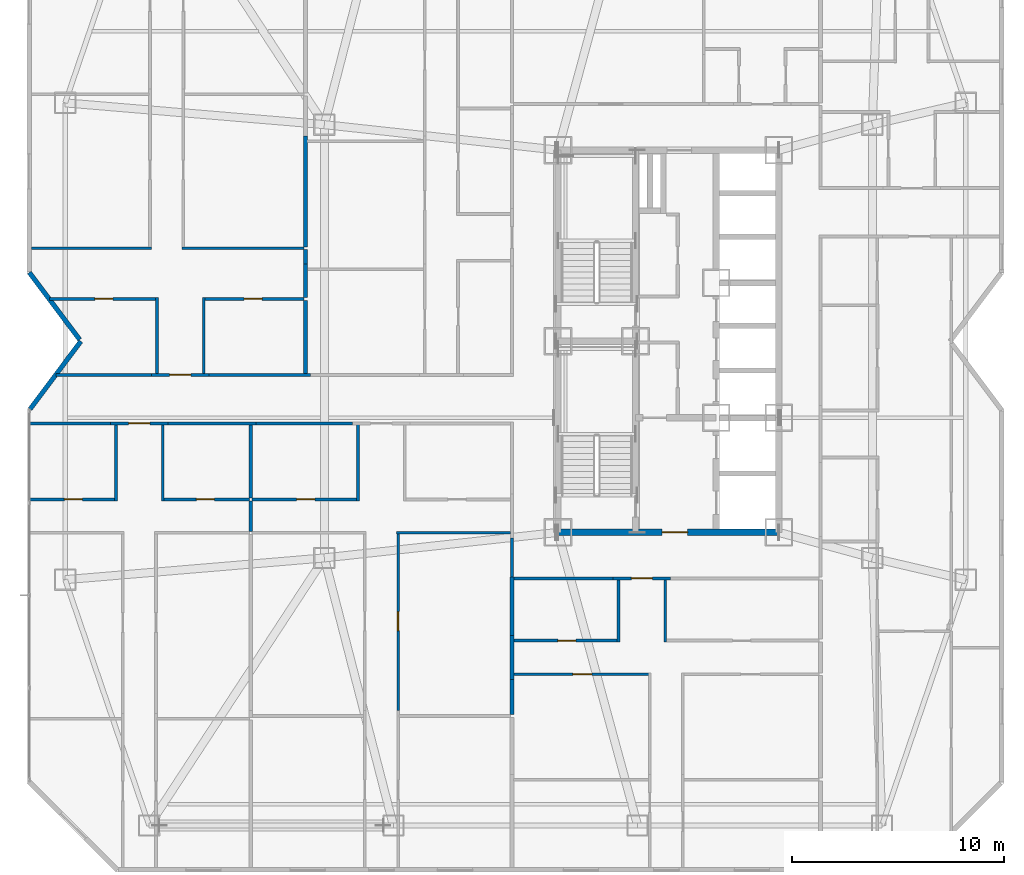
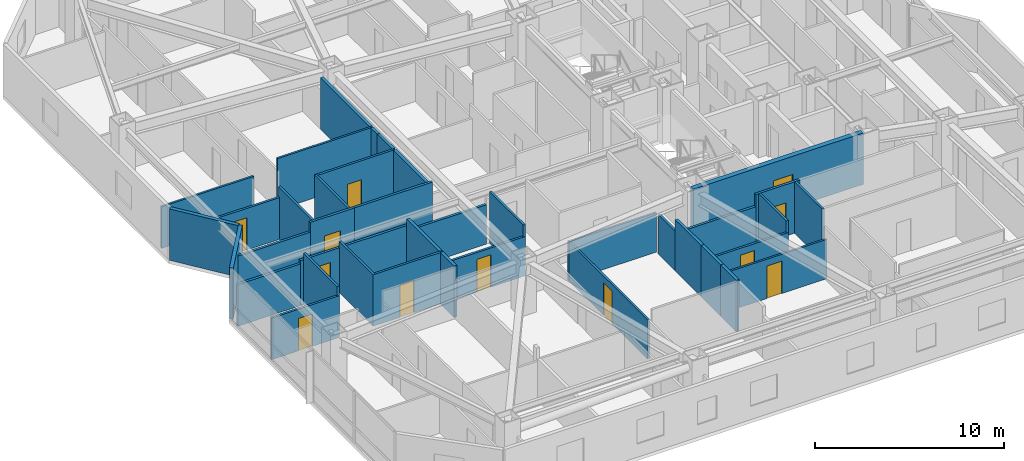
# One storey, part 12 of 18: 40 walls, 12 doors, 12 openings.
"""IFC4 building model written with IfcOpenShell, lengths in metres."""

import ifcopenshell
import ifcopenshell.guid

model = None  # the IFC model being written
_history = None  # IfcOwnerHistory: only IFC2X3 demands one
_inside = {}  # id of a spatial element -> (the spatial element, [elements in it])
_under = {}  # id of a project, library or spatial element -> (it, [spatial elements below it])
_declared = {}  # id of a project -> (the project, [libraries it declares])
_typed = {}  # id of a type object -> (the type object, [elements of that type])
_made_of = {}  # id of a material, layer set ... -> (it, [elements and type objects made of it])


def new_model(schema):
    """Start an empty IFC model of exactly this schema.

    Asked for "IFC4X3", IfcOpenShell would pick the latest addendum, in which some entities
    have other attributes; the version numbers below select the first issue.
    IFC2X3 requires an IfcOwnerHistory on every rooted entity: one is made here for all.
    """
    global model, _history
    if schema == "IFC4X3":
        model = ifcopenshell.file(schema_version=(4, 3, 0, 0))
    else:
        model = ifcopenshell.file(schema=schema)
    _inside.clear()
    _under.clear()
    _declared.clear()
    _typed.clear()
    _made_of.clear()
    _history = None
    if model.schema == "IFC2X3":
        org = make("IfcOrganization", Name="unknown")
        user = make(
            "IfcPersonAndOrganization",
            ThePerson=make("IfcPerson", FamilyName="unknown"),
            TheOrganization=org,
        )
        app = make(
            "IfcApplication",
            ApplicationDeveloper=org,
            Version="unknown",
            ApplicationFullName="unknown",
            ApplicationIdentifier="unknown",
        )
        _history = make(
            "IfcOwnerHistory",
            OwningUser=user,
            OwningApplication=app,
            ChangeAction="ADDED",
            CreationDate=0,
        )
    return model


def make(cls, **values):
    """One entity of the class cls with the attributes given. An attribute that is None is left unset."""
    return model.create_entity(
        cls, **{name: value for name, value in values.items() if value is not None}
    )


def rooted(cls, **values):
    """An entity with a GlobalId (a new one), such as an element, a storey or a relation."""
    return make(cls, GlobalId=ifcopenshell.guid.new(), OwnerHistory=_history, **values)


def si_unit(unit_type, name, prefix=None):
    """IfcSIUnit, for example si_unit("LENGTHUNIT", "METRE", prefix="MILLI")."""
    return make("IfcSIUnit", UnitType=unit_type, Prefix=prefix, Name=name)


def assignment(units):
    """IfcUnitAssignment: the units of a project."""
    return None if units is None else make("IfcUnitAssignment", Units=units)


def point(xyz):
    """IfcCartesianPoint."""
    return None if xyz is None else make("IfcCartesianPoint", Coordinates=xyz)


def direction(xyz):
    """IfcDirection."""
    return None if xyz is None else make("IfcDirection", DirectionRatios=xyz)


def frame(location, z_axis=None, x_axis=None):
    """IfcAxis2Placement3D, a coordinate frame: its origin and axes. An axis left out is left unset."""
    return make(
        "IfcAxis2Placement3D",
        Location=point(location),
        Axis=direction(z_axis),
        RefDirection=direction(x_axis),
    )


def frame_2d(location, x_axis=None):
    """IfcAxis2Placement2D, a coordinate frame in the plane: its origin and x axis."""
    return make(
        "IfcAxis2Placement2D", Location=point(location), RefDirection=direction(x_axis)
    )


def origin():
    """The frame at (0, 0, 0) with its axes left unset."""
    return frame((0.0, 0.0, 0.0))


def place(relative_to, where):
    """IfcLocalPlacement: puts the frame where relative to a parent placement (None: the world)."""
    return make(
        "IfcLocalPlacement", PlacementRelTo=relative_to, RelativePlacement=where
    )


def context(
    kind, dimensions, precision=None, world=None, true_north=None, identifier=None
):
    """IfcGeometricRepresentationContext, for example the 3D "Model" context."""
    return make(
        "IfcGeometricRepresentationContext",
        ContextIdentifier=identifier,
        ContextType=kind,
        CoordinateSpaceDimension=dimensions,
        Precision=precision,
        WorldCoordinateSystem=world,
        TrueNorth=true_north,
    )


def subcontext(parent, identifier, kind, view, scale=None):
    """IfcGeometricRepresentationSubContext, for example "Body" below "Model"."""
    return make(
        "IfcGeometricRepresentationSubContext",
        ContextIdentifier=identifier,
        ContextType=kind,
        ParentContext=parent,
        TargetScale=scale,
        TargetView=view,
    )


def project(units=None, contexts=None):
    """IfcProject with its units and contexts."""
    return rooted(
        "IfcProject",
        Name="project",
        RepresentationContexts=contexts,
        UnitsInContext=assignment(units),
    )


def spatial(cls, under=None, at=None, **own):
    """A site, building, storey or space (cls), placed at a placement, below another one or the project."""
    s = rooted(cls, ObjectPlacement=at, **own)
    if under is not None:
        _under.setdefault(under.id(), (under, []))[1].append(s)
    return s


def profile(cls, at=None, kind="AREA", **sizes):
    """A parametric profile (cls). Its sizes go by their IFC names, for example OverallWidth=200.0."""
    return make(cls, ProfileType=kind, Position=at, **sizes)


def rectangle(**sizes):
    """IfcRectangleProfileDef."""
    return profile("IfcRectangleProfileDef", **sizes)


def extrude(swept, where, along, depth):
    """IfcExtrudedAreaSolid: the profile swept, set in the frame where, extruded along a direction by depth."""
    return make(
        "IfcExtrudedAreaSolid",
        SweptArea=swept,
        Position=where,
        ExtrudedDirection=direction(along),
        Depth=depth,
    )


def shape(context_of_items, identifier, shape_type, items):
    """IfcShapeRepresentation: the items that make up one representation, for example the "Body"."""
    return make(
        "IfcShapeRepresentation",
        ContextOfItems=context_of_items,
        RepresentationIdentifier=identifier,
        RepresentationType=shape_type,
        Items=items,
    )


def material(Name=None, Category=None):
    """IfcMaterial."""
    return make("IfcMaterial", Name=Name, Category=Category)


def layer(
    of_material, thickness, ventilated=None, Name=None, Category=None, Priority=None
):
    """IfcMaterialLayer: one layer of a wall or slab, of a material (None: an air gap)."""
    return make(
        "IfcMaterialLayer",
        Material=of_material,
        LayerThickness=thickness,
        IsVentilated=ventilated,
        Name=Name,
        Category=Category,
        Priority=Priority,
    )


def layer_set(layers, Name=None):
    """IfcMaterialLayerSet."""
    return make("IfcMaterialLayerSet", MaterialLayers=layers, LayerSetName=Name)


def made_of(thing, what):
    """Note that an element or type object is made of a material, layer set ...; save() writes the relation."""
    if what is not None:
        _made_of.setdefault(what.id(), (what, []))[1].append(thing)
    return thing


def type_object(cls, material=None, **own):
    """A type object (cls), such as IfcWallType, which elements share."""
    return made_of(rooted(cls, **own), material)


def element(
    cls,
    number,
    at=None,
    inside=None,
    cuts=None,
    type_object=None,
    material=None,
    context=None,
    identifier="Body",
    shape_type=None,
    held_by="IfcProductDefinitionShape",
    body=None,
    shapes=None,
    **own,
):
    """One element of the class cls, such as IfcWall. Its Tag is "e" and its number.

    at: its placement. inside: the storey or other place that contains it. cuts: it is an
    opening in that element (IfcRelVoidsElement). A single representation is given by context,
    identifier, shape_type and body (its items); several are given by shapes. held_by: the class
    of the entity that holds the representations. save() writes the other relations.
    """
    e = rooted(cls, Tag="e%d" % number, ObjectPlacement=at, **own)
    if body is not None:
        shapes = [shape(context, identifier, shape_type, body)]
    if shapes is not None:
        e.Representation = make(held_by, Representations=shapes)
    if inside is not None:
        _inside.setdefault(inside.id(), (inside, []))[1].append(e)
    if cuts is not None:
        rooted(
            "IfcRelVoidsElement", RelatingBuildingElement=cuts, RelatedOpeningElement=e
        )
    if type_object is not None:
        _typed.setdefault(type_object.id(), (type_object, []))[1].append(e)
    return made_of(e, material)


def fill(opening, filler):
    """IfcRelFillsElement: the door or window that sits in an opening."""
    return rooted(
        "IfcRelFillsElement",
        RelatingOpeningElement=opening,
        RelatedBuildingElement=filler,
    )


def aggregate(whole, parts):
    """IfcRelAggregates: a whole, such as a stair, and the parts it consists of."""
    return rooted("IfcRelAggregates", RelatingObject=whole, RelatedObjects=parts)


def save(model, path):
    """Write the relations noted so far, then the file.

    IfcRelAggregates (storeys below a building ...), IfcRelContainedInSpatialStructure (elements
    in a storey), IfcRelDefinesByType, IfcRelAssociatesMaterial and IfcRelDeclares: one each for
    every whole, place, type object, material and project.
    """
    for whole, parts in _under.values():
        aggregate(whole, parts)
    for where, things in _inside.values():
        rooted(
            "IfcRelContainedInSpatialStructure",
            RelatedElements=things,
            RelatingStructure=where,
        )
    for kind, things in _typed.values():
        rooted("IfcRelDefinesByType", RelatedObjects=things, RelatingType=kind)
    for what, things in _made_of.values():
        rooted("IfcRelAssociatesMaterial", RelatedObjects=things, RelatingMaterial=what)
    for by, libraries in _declared.values():
        rooted("IfcRelDeclares", RelatingContext=by, RelatedDefinitions=libraries)
    model.write(path)


model = new_model("IFC4")

# Units and contexts
model_context = context("Model", 3, precision=1e-05, world=origin(), true_north=direction((0.0, 1.0)))
body_context = subcontext(model_context, "Body", "Model", "MODEL_VIEW")
ifc_project = project(units=[si_unit("LENGTHUNIT", "METRE"), si_unit("AREAUNIT", "SQUARE_METRE"), si_unit("VOLUMEUNIT", "CUBIC_METRE"), si_unit("PLANEANGLEUNIT", "RADIAN"), si_unit("MASSUNIT", "GRAM", prefix="KILO")], contexts=[model_context])

# Site, building, storey
site_placement = place(None, origin())
site = spatial("IfcSite", under=ifc_project, at=site_placement, CompositionType="ELEMENT")
building_placement = place(site_placement, origin())
building = spatial("IfcBuilding", under=site, at=building_placement, Name="Khamvora Tower", CompositionType="ELEMENT")
storey_placement = place(building_placement, frame((0.0, 0.0, 80.75)))
storey = spatial("IfcBuildingStorey", under=building, at=storey_placement, Name="L20", CompositionType="ELEMENT", Elevation=80.75)

# Wall, opening, door
ifc_material_1 = material(Name="Concrete C50/60", Category="concrete")
ifc_layer_1 = layer(ifc_material_1, 0.300048828125)
ifc_layer_set_1 = layer_set([ifc_layer_1], Name="Concrete C50/60")
wall_type_1 = type_object("IfcWallType", Name="WAL-CORE-300", PredefinedType="SHEAR", material=ifc_layer_set_1)
wall_1_placement = place(storey_placement, frame((29.0, 19.0, 0.0), z_axis=(0.0, 0.0, 1.0), x_axis=(1.0, 0.0, 0.0)))
wall_1 = element("IfcWall", 1, at=wall_1_placement, inside=storey, type_object=wall_type_1, Name="L20 central core south wall", PredefinedType="SHEAR", context=body_context, shape_type="SweptSolid", body=[
    extrude(rectangle(XDim=10.39990234375, YDim=0.300048828125, at=frame_2d((5.199951171875, 0.0))), origin(), (0.0, 0.0, 1.0), 3.330078125),
])
opening_1_placement = place(wall_1_placement, frame((4.89990234375, 0.0, 0.0)))
opening_1 = element("IfcOpeningElement", 2, at=opening_1_placement, cuts=wall_1, Name="Opening D-CR1", PredefinedType="OPENING", context=body_context, shape_type="SweptSolid", body=[
    extrude(rectangle(XDim=1.199951171875, YDim=2.14990234375, at=frame_2d((0.60009765625, 1.074951171875))), frame((0.0, 0.159912109375, 0.0), z_axis=(0.0, -1.0, 0.0), x_axis=(1.0, 0.0, 0.0)), (0.0, 0.0, 1.0), 0.320068359375),
])
ifc_material_2 = material(Name="Powder-Coated Steel and Hardwood Leaf", Category="steel")
door_type_1 = type_object("IfcDoorType", Name="DOR-CORR-1200", OperationType="NOTDEFINED", PredefinedType="DOOR", material=ifc_material_2)
door_1_placement = place(opening_1_placement, origin())
door_1 = element("IfcDoor", 3, at=door_1_placement, inside=storey, type_object=door_type_1, Name="L20 south core lobby to corridor fire door", OperationType="SINGLE_SWING_RIGHT", OverallHeight=2.14990234375, OverallWidth=1.199951171875, PredefinedType="DOOR", context=body_context, shape_type="SweptSolid", body=[
    extrude(rectangle(XDim=1.199951171875, YDim=2.14990234375, at=frame_2d((0.60009765625, 1.074951171875))), frame((0.0, 0.02490234375, 0.0), z_axis=(0.0, -1.0, 0.0), x_axis=(1.0, 0.0, 0.0)), (0.0, 0.0, 1.0), 0.050048828125),
])
fill(opening_1, door_1)

ifc_material_3 = material(Name="Fire-Rated Drywall and Steel Stud", Category="steel")
ifc_layer_2 = layer(ifc_material_3, 0.14990234375)
ifc_layer_set_2 = layer_set([ifc_layer_2], Name="Fire-Rated Drywall and Steel Stud")
wall_type_2 = type_object("IfcWallType", Name="WAL-CORR-150", PredefinedType="STANDARD", material=ifc_layer_set_2)
wall_2_placement = place(storey_placement, frame((10.637939453125, 24.135009765625, 0.0), z_axis=(0.0, 0.0, 1.0), x_axis=(-1.0, 0.0, 0.0)))
wall_2 = element("IfcWall", 4, at=wall_2_placement, inside=storey, type_object=wall_type_2, Name="L20 interior partition wall 007", PredefinedType="STANDARD", context=body_context, shape_type="SweptSolid", body=[
    extrude(rectangle(XDim=2.697998046875, YDim=0.14990234375, at=frame_2d((1.34912109375, 0.0))), origin(), (0.0, 0.0, 1.0), 2.9130859375),
])
opening_2_placement = place(wall_2_placement, frame((0.84912109375, 0.0, 0.0)))
opening_2 = element("IfcOpeningElement", 5, at=opening_2_placement, cuts=wall_2, Name="Opening D-U1", PredefinedType="OPENING", context=body_context, shape_type="SweptSolid", body=[
    extrude(rectangle(XDim=1.0, YDim=2.14990234375, at=frame_2d((0.5, 1.074951171875))), frame((0.0, 0.0849609375, 0.0), z_axis=(0.0, -1.0, 0.0), x_axis=(1.0, 0.0, 0.0)), (0.0, 0.0, 1.0), 0.169921875),
])
door_type_2 = type_object("IfcDoorType", Name="DOR-UNIT-1000", OperationType="NOTDEFINED", PredefinedType="DOOR", material=ifc_material_2)
door_2_placement = place(opening_2_placement, origin())
door_2 = element("IfcDoor", 6, at=door_2_placement, inside=storey, type_object=door_type_2, Name="L20 interior door COR-20WA1H", OperationType="SINGLE_SWING_LEFT", OverallHeight=2.14990234375, OverallWidth=1.0, PredefinedType="DOOR", context=body_context, shape_type="SweptSolid", body=[
    extrude(rectangle(XDim=1.0, YDim=2.14990234375, at=frame_2d((0.5, 1.074951171875))), frame((0.0, 0.02490234375, 0.0), z_axis=(0.0, -1.0, 0.0), x_axis=(1.0, 0.0, 0.0)), (0.0, 0.0, 1.0), 0.050048828125),
])
fill(opening_2, door_2)

# Walls
wall_3_placement = place(storey_placement, frame((14.782958984375, 24.135009765625, 0.0), z_axis=(0.0, 0.0, 1.0), x_axis=(-1.0, 0.0, 0.0)))
element("IfcWall", 7, at=wall_3_placement, inside=storey, type_object=wall_type_2, Name="L20 interior partition wall 008", PredefinedType="STANDARD", context=body_context, shape_type="SweptSolid", body=[
    extrude(rectangle(XDim=4.14501953125, YDim=0.14990234375, at=frame_2d((2.072509765625, 0.0))), origin(), (0.0, 0.0, 1.0), 2.9130859375),
])
wall_4_placement = place(storey_placement, frame((7.93994140625, 24.135009765625, 0.0), z_axis=(0.0, 0.0, 1.0), x_axis=(-1.0, 0.0, 0.0)))
element("IfcWall", 8, at=wall_4_placement, inside=storey, type_object=wall_type_2, Name="L20 interior partition wall 009", PredefinedType="STANDARD", context=body_context, shape_type="SweptSolid", body=[
    extrude(rectangle(XDim=3.829833984375, YDim=0.14990234375, at=frame_2d((1.9150390625, 0.0))), origin(), (0.0, 0.0, 1.0), 2.702880859375),
])
wall_5_placement = place(storey_placement, frame((19.3349609375, 24.135009765625, 0.0), z_axis=(0.0, 0.0, 1.0), x_axis=(-1.0, 0.0, 0.0)))
element("IfcWall", 9, at=wall_5_placement, inside=storey, type_object=wall_type_2, Name="L20 interior partition wall 014", PredefinedType="STANDARD", context=body_context, shape_type="SweptSolid", body=[
    extrude(rectangle(XDim=4.552001953125, YDim=0.14990234375, at=frame_2d((2.27587890625, 0.0))), origin(), (0.0, 0.0, 1.0), 2.547119140625),
])
wall_6_placement = place(storey_placement, frame((26.8349609375, 16.89990234375, 0.0), z_axis=(0.0, 0.0, 1.0), x_axis=(0.0, 1.0, 0.0)))
element("IfcWall", 10, at=wall_6_placement, inside=storey, type_object=wall_type_2, Name="L20 interior partition wall 015", PredefinedType="STANDARD", context=body_context, shape_type="SweptSolid", body=[
    extrude(rectangle(XDim=1.826171875, YDim=0.14990234375, at=frame_2d((0.9130859375, 0.0))), origin(), (0.0, 0.0, 1.0), 2.547119140625),
])

# Wall, opening, door
wall_7_placement = place(storey_placement, frame((9.8701171875, 26.4150390625, 0.0), z_axis=(0.0, 0.0, 1.0), x_axis=(1.0, 0.0, 0.0)))
wall_7 = element("IfcWall", 11, at=wall_7_placement, inside=storey, type_object=wall_type_2, Name="L20 interior partition wall 016", PredefinedType="STANDARD", context=body_context, shape_type="SweptSolid", body=[
    extrude(rectangle(XDim=2.697998046875, YDim=0.14990234375, at=frame_2d((1.34912109375, 0.0))), origin(), (0.0, 0.0, 1.0), 3.330078125),
])
opening_3_placement = place(wall_7_placement, frame((0.84912109375, 0.0, 0.0)))
opening_3 = element("IfcOpeningElement", 12, at=opening_3_placement, cuts=wall_7, Name="Opening D-U1", PredefinedType="OPENING", context=body_context, shape_type="SweptSolid", body=[
    extrude(rectangle(XDim=1.0, YDim=2.14990234375, at=frame_2d((0.5, 1.074951171875))), frame((0.0, 0.0849609375, 0.0), z_axis=(0.0, -1.0, 0.0), x_axis=(1.0, 0.0, 0.0)), (0.0, 0.0, 1.0), 0.169921875),
])
door_3_placement = place(opening_3_placement, origin())
door_3 = element("IfcDoor", 13, at=door_3_placement, inside=storey, type_object=door_type_2, Name="L20 interior door COR-20WBH", OperationType="SINGLE_SWING_LEFT", OverallHeight=2.14990234375, OverallWidth=1.0, PredefinedType="DOOR", context=body_context, shape_type="SweptSolid", body=[
    extrude(rectangle(XDim=1.0, YDim=2.14990234375, at=frame_2d((0.5, 1.074951171875))), frame((0.0, 0.02490234375, 0.0), z_axis=(0.0, -1.0, 0.0), x_axis=(1.0, 0.0, 0.0)), (0.0, 0.0, 1.0), 0.050048828125),
])
fill(opening_3, door_3)

# Walls
wall_8_placement = place(storey_placement, frame((5.363037109375, 26.4150390625, 0.0), z_axis=(0.0, 0.0, 1.0), x_axis=(1.0, 0.0, 0.0)))
element("IfcWall", 14, at=wall_8_placement, inside=storey, type_object=wall_type_2, Name="L20 interior partition wall 017", PredefinedType="STANDARD", context=body_context, shape_type="SweptSolid", body=[
    extrude(rectangle(XDim=4.507080078125, YDim=0.14990234375, at=frame_2d((2.25341796875, 0.0))), origin(), (0.0, 0.0, 1.0), 2.702880859375),
])
wall_9_placement = place(storey_placement, frame((12.568115234375, 26.4150390625, 0.0), z_axis=(0.0, 0.0, 1.0), x_axis=(1.0, 0.0, 0.0)))
element("IfcWall", 15, at=wall_9_placement, inside=storey, type_object=wall_type_2, Name="L20 interior partition wall 018", PredefinedType="STANDARD", context=body_context, shape_type="SweptSolid", body=[
    extrude(rectangle(XDim=4.785888671875, YDim=0.14990234375, at=frame_2d((2.39306640625, 0.0))), origin(), (0.0, 0.0, 1.0), 3.330078125),
])

# Wall, opening, door
wall_10_placement = place(storey_placement, frame((34.299072265625, 16.8349609375, 0.0), z_axis=(0.0, 0.0, 1.0), x_axis=(-1.0, 0.0, 0.0)))
wall_10 = element("IfcWall", 16, at=wall_10_placement, inside=storey, type_object=wall_type_2, Name="L20 interior partition wall 026", PredefinedType="STANDARD", context=body_context, shape_type="SweptSolid", body=[
    extrude(rectangle(XDim=2.697998046875, YDim=0.14990234375, at=frame_2d((1.34912109375, 0.0))), origin(), (0.0, 0.0, 1.0), 3.330078125),
])
opening_4_placement = place(wall_10_placement, frame((0.84912109375, 0.0, 0.0)))
opening_4 = element("IfcOpeningElement", 17, at=opening_4_placement, cuts=wall_10, Name="Opening D-U1", PredefinedType="OPENING", context=body_context, shape_type="SweptSolid", body=[
    extrude(rectangle(XDim=1.0, YDim=2.14990234375, at=frame_2d((0.5, 1.074951171875))), frame((0.0, 0.0849609375, 0.0), z_axis=(0.0, -1.0, 0.0), x_axis=(1.0, 0.0, 0.0)), (0.0, 0.0, 1.0), 0.169921875),
])
door_4_placement = place(opening_4_placement, origin())
door_4 = element("IfcDoor", 18, at=door_4_placement, inside=storey, type_object=door_type_2, Name="L20 interior door COR-20SAH", OperationType="SINGLE_SWING_LEFT", OverallHeight=2.14990234375, OverallWidth=1.0, PredefinedType="DOOR", context=body_context, shape_type="SweptSolid", body=[
    extrude(rectangle(XDim=1.0, YDim=2.14990234375, at=frame_2d((0.5, 1.074951171875))), frame((0.0, 0.02490234375, 0.0), z_axis=(0.0, -1.0, 0.0), x_axis=(1.0, 0.0, 0.0)), (0.0, 0.0, 1.0), 0.050048828125),
])
fill(opening_4, door_4)

# Walls
wall_11_placement = place(storey_placement, frame((31.60107421875, 16.8349609375, 0.0), z_axis=(0.0, 0.0, 1.0), x_axis=(-1.0, 0.0, 0.0)))
element("IfcWall", 19, at=wall_11_placement, inside=storey, type_object=wall_type_2, Name="L20 interior partition wall 027", PredefinedType="STANDARD", context=body_context, shape_type="SweptSolid", body=[
    extrude(rectangle(XDim=4.701171875, YDim=0.14990234375, at=frame_2d((2.3505859375, 0.0))), origin(), (0.0, 0.0, 1.0), 2.547119140625),
])
ifc_material_4 = material(Name="Acoustic Double-Stud Fire Wall", Category="gypsum")
ifc_layer_3 = layer(ifc_material_4, 0.179931640625)
ifc_layer_set_3 = layer_set([ifc_layer_3], Name="Acoustic Double-Stud Fire Wall")
wall_type_3 = type_object("IfcWallType", Name="WAL-CORR-180", PredefinedType="STANDARD", material=ifc_layer_set_3)
wall_12_placement = place(storey_placement, frame((14.533935546875, 20.489990234375, 0.0), z_axis=(0.0, 0.0, 1.0), x_axis=(0.0, -1.0, 0.0)))
element("IfcWall", 20, at=wall_12_placement, inside=storey, type_object=wall_type_3, Name="L20 interior partition wall 058", PredefinedType="STANDARD", context=body_context, shape_type="SweptSolid", body=[
    extrude(rectangle(XDim=1.449951171875, YDim=0.179931640625, at=frame_2d((0.72509765625, 0.0))), origin(), (0.0, 0.0, 1.0), 3.330078125),
])
wall_13_placement = place(storey_placement, frame((14.533935546875, 24.070068359375, 0.0), z_axis=(0.0, 0.0, 1.0), x_axis=(0.0, -1.0, 0.0)))
element("IfcWall", 21, at=wall_13_placement, inside=storey, type_object=wall_type_3, Name="L20 interior partition wall 059", PredefinedType="STANDARD", context=body_context, shape_type="SweptSolid", body=[
    extrude(rectangle(XDim=3.449951171875, YDim=0.179931640625, at=frame_2d((1.72509765625, 0.0))), origin(), (0.0, 0.0, 1.0), 3.330078125),
])
wall_14_placement = place(storey_placement, frame((26.8349609375, 14.155029296875, 0.0), z_axis=(0.0, 0.0, 1.0), x_axis=(0.0, -1.0, 0.0)))
element("IfcWall", 22, at=wall_14_placement, inside=storey, type_object=wall_type_3, Name="L20 interior partition wall 079", PredefinedType="STANDARD", context=body_context, shape_type="SweptSolid", body=[
    extrude(rectangle(XDim=2.078125, YDim=0.179931640625, at=frame_2d((1.0390625, 0.0))), origin(), (0.0, 0.0, 1.0), 3.330078125),
])
wall_15_placement = place(storey_placement, frame((26.8349609375, 16.89990234375, 0.0), z_axis=(0.0, 0.0, 1.0), x_axis=(0.0, -1.0, 0.0)))
element("IfcWall", 23, at=wall_15_placement, inside=storey, type_object=wall_type_3, Name="L20 interior partition wall 080", PredefinedType="STANDARD", context=body_context, shape_type="SweptSolid", body=[
    extrude(rectangle(XDim=2.744873046875, YDim=0.179931640625, at=frame_2d((1.37255859375, 0.0))), origin(), (0.0, 0.0, 1.0), 3.330078125),
])
wall_16_placement = place(storey_placement, frame((26.8349609375, 12.076904296875, 0.0), z_axis=(0.0, 0.0, 1.0), x_axis=(0.0, -1.0, 0.0)))
element("IfcWall", 24, at=wall_16_placement, inside=storey, type_object=wall_type_3, Name="L20 interior partition wall 081", PredefinedType="STANDARD", context=body_context, shape_type="SweptSolid", body=[
    extrude(rectangle(XDim=1.65478515625, YDim=0.179931640625, at=frame_2d((0.827392578125, 0.0))), origin(), (0.0, 0.0, 1.0), 3.330078125),
])
wall_17_placement = place(storey_placement, frame((17.10498046875, 31.637939453125, 0.0), z_axis=(0.0, 0.0, 1.0), x_axis=(0.0, -1.0, 0.0)))
element("IfcWall", 25, at=wall_17_placement, inside=storey, type_object=wall_type_3, Name="L20 interior partition wall 094", PredefinedType="STANDARD", context=body_context, shape_type="SweptSolid", body=[
    extrude(rectangle(XDim=1.577880859375, YDim=0.179931640625, at=frame_2d((0.7890625, 0.0))), origin(), (0.0, 0.0, 1.0), 3.330078125),
])
wall_18_placement = place(storey_placement, frame((17.10498046875, 32.31005859375, 0.0), z_axis=(0.0, 0.0, 1.0), x_axis=(0.0, -1.0, 0.0)))
element("IfcWall", 26, at=wall_18_placement, inside=storey, type_object=wall_type_3, Name="L20 interior partition wall 095", PredefinedType="STANDARD", context=body_context, shape_type="SweptSolid", body=[
    extrude(rectangle(XDim=0.672119140625, YDim=0.179931640625, at=frame_2d((0.3359375, 0.0))), origin(), (0.0, 0.0, 1.0), 3.330078125),
])
wall_19_placement = place(storey_placement, frame((17.10498046875, 29.929931640625, 0.0), z_axis=(0.0, 0.0, 1.0), x_axis=(0.0, -1.0, 0.0)))
element("IfcWall", 27, at=wall_19_placement, inside=storey, type_object=wall_type_3, Name="L20 interior partition wall 096", PredefinedType="STANDARD", context=body_context, shape_type="SweptSolid", body=[
    extrude(rectangle(XDim=3.449951171875, YDim=0.179931640625, at=frame_2d((1.72509765625, 0.0))), origin(), (0.0, 0.0, 1.0), 3.330078125),
])
wall_20_placement = place(storey_placement, frame((17.10498046875, 37.676025390625, 0.0), z_axis=(0.0, 0.0, 1.0), x_axis=(0.0, -1.0, 0.0)))
element("IfcWall", 28, at=wall_20_placement, inside=storey, type_object=wall_type_3, Name="L20 interior partition wall 100", PredefinedType="STANDARD", context=body_context, shape_type="SweptSolid", body=[
    extrude(rectangle(XDim=5.236083984375, YDim=0.179931640625, at=frame_2d((2.6181640625, 0.0))), origin(), (0.0, 0.0, 1.0), 3.330078125),
])
ifc_material_5 = material(Name="Precast concrete C40/50", Category="concrete")
ifc_layer_4 = layer(ifc_material_5, 0.219970703125)
ifc_layer_set_4 = layer_set([ifc_layer_4], Name="Precast concrete C40/50")
wall_type_4 = type_object("IfcWallType", Name="WAL-EXT-220", PredefinedType="STANDARD", material=ifc_layer_set_4)
wall_21_placement = place(storey_placement, frame((4.14501953125, 24.80908203125, 0.0), z_axis=(0.0, 0.0, 1.0), x_axis=(0.599823674734, 0.800132213592, 0.0)))
element("IfcWall", 29, at=wall_21_placement, inside=storey, type_object=wall_type_4, Name="L20 exterior facade wall 03.1", PredefinedType="STANDARD", context=body_context, shape_type="SweptSolid", body=[
    extrude(rectangle(XDim=3.988037109375, YDim=0.219970703125, at=frame_2d((1.994140625, 0.0))), origin(), (0.0, 0.0, 1.0), 3.330078125),
])
wall_22_placement = place(storey_placement, frame((6.47998046875, 28.076904296875, 0.0), z_axis=(0.0, 0.0, 1.0), x_axis=(-0.599960442794, 0.800029666377, 0.0)))
element("IfcWall", 30, at=wall_22_placement, inside=storey, type_object=wall_type_4, Name="L20 exterior facade wall 04.1", PredefinedType="STANDARD", context=body_context, shape_type="SweptSolid", body=[
    extrude(rectangle(XDim=3.949951171875, YDim=0.219970703125, at=frame_2d((1.97509765625, 0.0))), origin(), (0.0, 0.0, 1.0), 3.330078125),
])
ifc_material_6 = material(Name="Gypsum Plasterboard Partition", Category="gypsum")
ifc_layer_5 = layer(ifc_material_6, 0.1201171875)
ifc_layer_set_5 = layer_set([ifc_layer_5], Name="Gypsum Plasterboard Partition")
wall_type_5 = type_object("IfcWallType", Name="WAL-PART-120", PredefinedType="PARTITIONING", material=ifc_layer_set_5)
wall_23_placement = place(storey_placement, frame((26.77001953125, 18.97509765625, 0.0), z_axis=(0.0, 0.0, 1.0), x_axis=(-1.0, 0.0, 0.0)))
element("IfcWall", 31, at=wall_23_placement, inside=storey, type_object=wall_type_5, Name="L20 interior partition wall 073", PredefinedType="PARTITIONING", context=body_context, shape_type="SweptSolid", body=[
    extrude(rectangle(XDim=5.365966796875, YDim=0.1201171875, at=frame_2d((2.68310546875, 0.0))), origin(), (0.0, 0.0, 1.0), 2.547119140625),
])

# Wall, opening, door
wall_24_placement = place(storey_placement, frame((21.468994140625, 19.0400390625, 0.0), z_axis=(0.0, 0.0, 1.0), x_axis=(0.0, -1.0, 0.0)))
wall_24 = element("IfcWall", 32, at=wall_24_placement, inside=storey, type_object=wall_type_5, Name="L20 interior partition wall 074", PredefinedType="PARTITIONING", context=body_context, shape_type="SweptSolid", body=[
    extrude(rectangle(XDim=8.43408203125, YDim=0.1201171875, at=frame_2d((4.217041015625, 0.0))), origin(), (0.0, 0.0, 1.0), 2.547119140625),
])
opening_5_placement = place(wall_24_placement, frame((3.76708984375, 0.0, 0.0)))
opening_5 = element("IfcOpeningElement", 33, at=opening_5_placement, cuts=wall_24, Name="Opening D-RM1", PredefinedType="OPENING", context=body_context, shape_type="SweptSolid", body=[
    extrude(rectangle(XDim=0.89990234375, YDim=2.10009765625, at=frame_2d((0.449951171875, 1.050048828125))), frame((0.0, 0.070068359375, 0.0), z_axis=(0.0, -1.0, 0.0), x_axis=(1.0, 0.0, 0.0)), (0.0, 0.0, 1.0), 0.14013671875),
])
door_type_3 = type_object("IfcDoorType", Name="DOR-ROOM-900", OperationType="NOTDEFINED", PredefinedType="DOOR", material=ifc_material_2)
door_5_placement = place(opening_5_placement, origin())
door_5 = element("IfcDoor", 34, at=door_5_placement, inside=storey, type_object=door_type_3, Name="L20 interior door 20WA2H-20WA2R4", OperationType="SINGLE_SWING_RIGHT", OverallHeight=2.10009765625, OverallWidth=0.89990234375, PredefinedType="DOOR", context=body_context, shape_type="SweptSolid", body=[
    extrude(rectangle(XDim=0.89990234375, YDim=2.10009765625, at=frame_2d((0.449951171875, 1.050048828125))), frame((0.0, 0.02490234375, 0.0), z_axis=(0.0, -1.0, 0.0), x_axis=(1.0, 0.0, 0.0)), (0.0, 0.0, 1.0), 0.050048828125),
])
fill(opening_5, door_5)

# Walls
wall_25_placement = place(storey_placement, frame((4.2119140625, 32.375, 0.0), z_axis=(0.0, 0.0, 1.0), x_axis=(1.0, 0.0, 0.0)))
element("IfcWall", 35, at=wall_25_placement, inside=storey, type_object=wall_type_5, Name="L20 interior partition wall 087", PredefinedType="PARTITIONING", context=body_context, shape_type="SweptSolid", body=[
    extrude(rectangle(XDim=5.64306640625, YDim=0.1201171875, at=frame_2d((2.821533203125, 0.0))), origin(), (0.0, 0.0, 1.0), 2.702880859375),
])
wall_26_placement = place(storey_placement, frame((11.294921875, 32.375, 0.0), z_axis=(0.0, 0.0, 1.0), x_axis=(1.0, 0.0, 0.0)))
element("IfcWall", 36, at=wall_26_placement, inside=storey, type_object=wall_type_5, Name="L20 interior partition wall 091", PredefinedType="PARTITIONING", context=body_context, shape_type="SweptSolid", body=[
    extrude(rectangle(XDim=5.7451171875, YDim=0.1201171875, at=frame_2d((2.87255859375, 0.0))), origin(), (0.0, 0.0, 1.0), 3.330078125),
])

# Wall, opening, door
wall_27_placement = place(storey_placement, frame((33.3798828125, 12.325927734375, 0.0), z_axis=(0.0, 0.0, 1.0), x_axis=(-1.0, 0.0, 0.0)))
wall_27 = element("IfcWall", 37, at=wall_27_placement, inside=storey, type_object=wall_type_5, Name="L20 interior partition wall 125", PredefinedType="PARTITIONING", context=body_context, shape_type="SweptSolid", body=[
    extrude(rectangle(XDim=6.462890625, YDim=0.1201171875, at=frame_2d((3.2314453125, 0.0))), origin(), (0.0, 0.0, 1.0), 2.547119140625),
])
opening_6_placement = place(wall_27_placement, frame((2.781005859375, 0.0, 0.0)))
opening_6 = element("IfcOpeningElement", 38, at=opening_6_placement, cuts=wall_27, Name="Opening D-RM1", PredefinedType="OPENING", context=body_context, shape_type="SweptSolid", body=[
    extrude(rectangle(XDim=0.89990234375, YDim=2.10009765625, at=frame_2d((0.449951171875, 1.050048828125))), frame((0.0, 0.070068359375, 0.0), z_axis=(0.0, -1.0, 0.0), x_axis=(1.0, 0.0, 0.0)), (0.0, 0.0, 1.0), 0.14013671875),
])
door_6_placement = place(opening_6_placement, origin())
door_6 = element("IfcDoor", 39, at=door_6_placement, inside=storey, type_object=door_type_3, Name="L20 interior door 20SAH-20SAR2", OperationType="SINGLE_SWING_RIGHT", OverallHeight=2.10009765625, OverallWidth=0.89990234375, PredefinedType="DOOR", context=body_context, shape_type="SweptSolid", body=[
    extrude(rectangle(XDim=0.89990234375, YDim=2.10009765625, at=frame_2d((0.449951171875, 1.050048828125))), frame((0.0, 0.02490234375, 0.0), z_axis=(0.0, -1.0, 0.0), x_axis=(1.0, 0.0, 0.0)), (0.0, 0.0, 1.0), 0.050048828125),
])
fill(opening_6, door_6)

# Wall
ifc_material_7 = material(Name="Moisture-Resistant Plasterboard Partition", Category="gypsum")
ifc_layer_6 = layer(ifc_material_7, 0.135009765625)
ifc_layer_set_6 = layer_set([ifc_layer_6], Name="Moisture-Resistant Plasterboard Partition")
wall_type_6 = type_object("IfcWallType", Name="WAL-WET-135", PredefinedType="PARTITIONING", material=ifc_layer_set_6)
wall_28_placement = place(storey_placement, frame((10.388916015625, 24.070068359375, 0.0), z_axis=(0.0, 0.0, 1.0), x_axis=(0.0, -1.0, 0.0)))
element("IfcWall", 40, at=wall_28_placement, inside=storey, type_object=wall_type_6, Name="L20 interior partition wall 048", PredefinedType="PARTITIONING", context=body_context, shape_type="SweptSolid", body=[
    extrude(rectangle(XDim=3.580078125, YDim=0.135009765625, at=frame_2d((1.7900390625, 0.0))), origin(), (0.0, 0.0, 1.0), 3.330078125),
])

# Wall, opening, door
wall_29_placement = place(storey_placement, frame((10.323974609375, 20.554931640625, 0.0), z_axis=(0.0, 0.0, 1.0), x_axis=(1.0, 0.0, 0.0)))
wall_29 = element("IfcWall", 41, at=wall_29_placement, inside=storey, type_object=wall_type_6, Name="L20 interior partition wall 049", PredefinedType="PARTITIONING", context=body_context, shape_type="SweptSolid", body=[
    extrude(rectangle(XDim=4.14501953125, YDim=0.135009765625, at=frame_2d((2.072509765625, 0.0))), origin(), (0.0, 0.0, 1.0), 3.330078125),
])
opening_7_placement = place(wall_29_placement, frame((1.64697265625, 0.0, 0.0)))
opening_7 = element("IfcOpeningElement", 42, at=opening_7_placement, cuts=wall_29, Name="Opening D-WC1", PredefinedType="OPENING", context=body_context, shape_type="SweptSolid", body=[
    extrude(rectangle(XDim=0.85009765625, YDim=2.10009765625, at=frame_2d((0.425048828125, 1.050048828125))), frame((0.0, 0.077392578125, 0.0), z_axis=(0.0, -1.0, 0.0), x_axis=(1.0, 0.0, 0.0)), (0.0, 0.0, 1.0), 0.155029296875),
])
door_type_4 = type_object("IfcDoorType", Name="DOR-WET-850", OperationType="NOTDEFINED", PredefinedType="DOOR", material=ifc_material_2)
door_7_placement = place(opening_7_placement, origin())
door_7 = element("IfcDoor", 43, at=door_7_placement, inside=storey, type_object=door_type_4, Name="L20 interior door 20WA1H-20WA1B", OperationType="SINGLE_SWING_LEFT", OverallHeight=2.10009765625, OverallWidth=0.85009765625, PredefinedType="DOOR", context=body_context, shape_type="SweptSolid", body=[
    extrude(rectangle(XDim=0.85009765625, YDim=2.10009765625, at=frame_2d((0.425048828125, 1.050048828125))), frame((0.0, 0.02490234375, 0.0), z_axis=(0.0, -1.0, 0.0), x_axis=(1.0, 0.0, 0.0)), (0.0, 0.0, 1.0), 0.050048828125),
])
fill(opening_7, door_7)

wall_30_placement = place(storey_placement, frame((4.110107421875, 20.554931640625, 0.0), z_axis=(0.0, 0.0, 1.0), x_axis=(1.0, 0.0, 0.0)))
wall_30 = element("IfcWall", 44, at=wall_30_placement, inside=storey, type_object=wall_type_6, Name="L20 interior partition wall 050", PredefinedType="PARTITIONING", context=body_context, shape_type="SweptSolid", body=[
    extrude(rectangle(XDim=4.143798828125, YDim=0.135009765625, at=frame_2d((2.07177734375, 0.0))), origin(), (0.0, 0.0, 1.0), 2.702880859375),
])
opening_8_placement = place(wall_30_placement, frame((1.64697265625, 0.0, 0.0)))
opening_8 = element("IfcOpeningElement", 45, at=opening_8_placement, cuts=wall_30, Name="Opening D-RM2", PredefinedType="OPENING", context=body_context, shape_type="SweptSolid", body=[
    extrude(rectangle(XDim=0.85009765625, YDim=2.10009765625, at=frame_2d((0.425048828125, 1.050048828125))), frame((0.0, 0.077392578125, 0.0), z_axis=(0.0, -1.0, 0.0), x_axis=(1.0, 0.0, 0.0)), (0.0, 0.0, 1.0), 0.155029296875),
])
door_type_5 = type_object("IfcDoorType", Name="DOR-ROOM-850", OperationType="NOTDEFINED", PredefinedType="DOOR", material=ifc_material_2)
door_8_placement = place(opening_8_placement, origin())
door_8 = element("IfcDoor", 46, at=door_8_placement, inside=storey, type_object=door_type_5, Name="L20 interior door 20WA1H-20WA1K", OperationType="SINGLE_SWING_RIGHT", OverallHeight=2.10009765625, OverallWidth=0.85009765625, PredefinedType="DOOR", context=body_context, shape_type="SweptSolid", body=[
    extrude(rectangle(XDim=0.85009765625, YDim=2.10009765625, at=frame_2d((0.425048828125, 1.050048828125))), frame((0.0, 0.02490234375, 0.0), z_axis=(0.0, -1.0, 0.0), x_axis=(1.0, 0.0, 0.0)), (0.0, 0.0, 1.0), 0.050048828125),
])
fill(opening_8, door_8)

# Wall
wall_31_placement = place(storey_placement, frame((8.18896484375, 20.489990234375, 0.0), z_axis=(0.0, 0.0, 1.0), x_axis=(0.0, 1.0, 0.0)))
element("IfcWall", 47, at=wall_31_placement, inside=storey, type_object=wall_type_6, Name="L20 interior partition wall 051", PredefinedType="PARTITIONING", context=body_context, shape_type="SweptSolid", body=[
    extrude(rectangle(XDim=3.580078125, YDim=0.135009765625, at=frame_2d((1.7900390625, 0.0))), origin(), (0.0, 0.0, 1.0), 3.330078125),
])

# Wall, opening, door
wall_32_placement = place(storey_placement, frame((14.59912109375, 20.554931640625, 0.0), z_axis=(0.0, 0.0, 1.0), x_axis=(1.0, 0.0, 0.0)))
wall_32 = element("IfcWall", 48, at=wall_32_placement, inside=storey, type_object=wall_type_6, Name="L20 interior partition wall 067", PredefinedType="PARTITIONING", context=body_context, shape_type="SweptSolid", body=[
    extrude(rectangle(XDim=5.0498046875, YDim=0.135009765625, at=frame_2d((2.52490234375, 0.0))), origin(), (0.0, 0.0, 1.0), 2.547119140625),
])
opening_9_placement = place(wall_32_placement, frame((2.10009765625, 0.0, 0.0)))
opening_9 = element("IfcOpeningElement", 49, at=opening_9_placement, cuts=wall_32, Name="Opening D-RM2", PredefinedType="OPENING", context=body_context, shape_type="SweptSolid", body=[
    extrude(rectangle(XDim=0.85009765625, YDim=2.10009765625, at=frame_2d((0.425048828125, 1.050048828125))), frame((0.0, 0.077392578125, 0.0), z_axis=(0.0, -1.0, 0.0), x_axis=(1.0, 0.0, 0.0)), (0.0, 0.0, 1.0), 0.155029296875),
])
door_9_placement = place(opening_9_placement, origin())
door_9 = element("IfcDoor", 50, at=door_9_placement, inside=storey, type_object=door_type_5, Name="L20 interior door 20WA2H-20WA2K", OperationType="SINGLE_SWING_RIGHT", OverallHeight=2.10009765625, OverallWidth=0.85009765625, PredefinedType="DOOR", context=body_context, shape_type="SweptSolid", body=[
    extrude(rectangle(XDim=0.85009765625, YDim=2.10009765625, at=frame_2d((0.425048828125, 1.050048828125))), frame((0.0, 0.02490234375, 0.0), z_axis=(0.0, -1.0, 0.0), x_axis=(1.0, 0.0, 0.0)), (0.0, 0.0, 1.0), 0.050048828125),
])
fill(opening_9, door_9)

# Walls
for number, where, z_axis, x_axis, name in (
    (51, (19.583984375, 20.489990234375, 0.0), (0.0, 0.0, 1.0), (0.0, 1.0, 0.0), "L20 interior partition wall 068"),
    (52, (10.118896484375, 26.47998046875, 0.0), (0.0, 0.0, 1.0), (0.0, 1.0, 0.0), "L20 interior partition wall 082"),
):
    element("IfcWall", number, at=place(storey_placement, frame(where, z_axis=z_axis, x_axis=x_axis)), inside=storey, type_object=wall_type_6, Name=name, PredefinedType="PARTITIONING", context=body_context, shape_type="SweptSolid", body=[
        extrude(rectangle(XDim=3.580078125, YDim=0.135009765625, at=frame_2d((1.7900390625, 0.0))), origin(), (0.0, 0.0, 1.0), 3.330078125),
    ])

# Wall, opening, door
wall_33_placement = place(storey_placement, frame((10.18408203125, 29.9951171875, 0.0), z_axis=(0.0, 0.0, 1.0), x_axis=(-1.0, 0.0, 0.0)))
wall_33 = element("IfcWall", 53, at=wall_33_placement, inside=storey, type_object=wall_type_6, Name="L20 interior partition wall 083", PredefinedType="PARTITIONING", context=body_context, shape_type="SweptSolid", body=[
    extrude(rectangle(XDim=5.130126953125, YDim=0.135009765625, at=frame_2d((2.56494140625, 0.0))), origin(), (0.0, 0.0, 1.0), 2.702880859375),
])
opening_10_placement = place(wall_33_placement, frame((2.139892578125, 0.0, 0.0)))
opening_10 = element("IfcOpeningElement", 54, at=opening_10_placement, cuts=wall_33, Name="Opening D-WC1", PredefinedType="OPENING", context=body_context, shape_type="SweptSolid", body=[
    extrude(rectangle(XDim=0.85009765625, YDim=2.10009765625, at=frame_2d((0.425048828125, 1.050048828125))), frame((0.0, 0.077392578125, 0.0), z_axis=(0.0, -1.0, 0.0), x_axis=(1.0, 0.0, 0.0)), (0.0, 0.0, 1.0), 0.155029296875),
])
door_10_placement = place(opening_10_placement, origin())
door_10 = element("IfcDoor", 55, at=door_10_placement, inside=storey, type_object=door_type_4, Name="L20 interior door 20WBH-20WBB", OperationType="SINGLE_SWING_LEFT", OverallHeight=2.10009765625, OverallWidth=0.85009765625, PredefinedType="DOOR", context=body_context, shape_type="SweptSolid", body=[
    extrude(rectangle(XDim=0.85009765625, YDim=2.10009765625, at=frame_2d((0.425048828125, 1.050048828125))), frame((0.0, 0.02490234375, 0.0), z_axis=(0.0, -1.0, 0.0), x_axis=(1.0, 0.0, 0.0)), (0.0, 0.0, 1.0), 0.050048828125),
])
fill(opening_10, door_10)

wall_34_placement = place(storey_placement, frame((17.0400390625, 29.9951171875, 0.0), z_axis=(0.0, 0.0, 1.0), x_axis=(-1.0, 0.0, 0.0)))
wall_34 = element("IfcWall", 56, at=wall_34_placement, inside=storey, type_object=wall_type_6, Name="L20 interior partition wall 084", PredefinedType="PARTITIONING", context=body_context, shape_type="SweptSolid", body=[
    extrude(rectangle(XDim=4.7861328125, YDim=0.135009765625, at=frame_2d((2.39306640625, 0.0))), origin(), (0.0, 0.0, 1.0), 3.330078125),
])
opening_11_placement = place(wall_34_placement, frame((1.968017578125, 0.0, 0.0)))
opening_11 = element("IfcOpeningElement", 57, at=opening_11_placement, cuts=wall_34, Name="Opening D-RM2", PredefinedType="OPENING", context=body_context, shape_type="SweptSolid", body=[
    extrude(rectangle(XDim=0.85009765625, YDim=2.10009765625, at=frame_2d((0.425048828125, 1.050048828125))), frame((0.0, 0.077392578125, 0.0), z_axis=(0.0, -1.0, 0.0), x_axis=(1.0, 0.0, 0.0)), (0.0, 0.0, 1.0), 0.155029296875),
])
door_11_placement = place(opening_11_placement, origin())
door_11 = element("IfcDoor", 58, at=door_11_placement, inside=storey, type_object=door_type_5, Name="L20 interior door 20WBH-20WBK", OperationType="SINGLE_SWING_RIGHT", OverallHeight=2.10009765625, OverallWidth=0.85009765625, PredefinedType="DOOR", context=body_context, shape_type="SweptSolid", body=[
    extrude(rectangle(XDim=0.85009765625, YDim=2.10009765625, at=frame_2d((0.425048828125, 1.050048828125))), frame((0.0, 0.02490234375, 0.0), z_axis=(0.0, -1.0, 0.0), x_axis=(1.0, 0.0, 0.0)), (0.0, 0.0, 1.0), 0.050048828125),
])
fill(opening_11, door_11)

# Wall
wall_35_placement = place(storey_placement, frame((12.319091796875, 30.06005859375, 0.0), z_axis=(0.0, 0.0, 1.0), x_axis=(0.0, -1.0, 0.0)))
element("IfcWall", 59, at=wall_35_placement, inside=storey, type_object=wall_type_6, Name="L20 interior partition wall 085", PredefinedType="PARTITIONING", context=body_context, shape_type="SweptSolid", body=[
    extrude(rectangle(XDim=3.580078125, YDim=0.135009765625, at=frame_2d((1.7900390625, 0.0))), origin(), (0.0, 0.0, 1.0), 3.330078125),
])

# Wall, opening, door
wall_36_placement = place(storey_placement, frame((26.9169921875, 13.906005859375, 0.0), z_axis=(0.0, 0.0, 1.0), x_axis=(1.0, 0.0, 0.0)))
wall_36 = element("IfcWall", 60, at=wall_36_placement, inside=storey, type_object=wall_type_6, Name="L20 interior partition wall 119", PredefinedType="PARTITIONING", context=body_context, shape_type="SweptSolid", body=[
    extrude(rectangle(XDim=4.998046875, YDim=0.135009765625, at=frame_2d((2.4990234375, 0.0))), origin(), (0.0, 0.0, 1.0), 2.547119140625),
])
opening_12_placement = place(wall_36_placement, frame((2.073974609375, 0.0, 0.0)))
opening_12 = element("IfcOpeningElement", 61, at=opening_12_placement, cuts=wall_36, Name="Opening D-WC1", PredefinedType="OPENING", context=body_context, shape_type="SweptSolid", body=[
    extrude(rectangle(XDim=0.85009765625, YDim=2.10009765625, at=frame_2d((0.425048828125, 1.050048828125))), frame((0.0, 0.077392578125, 0.0), z_axis=(0.0, -1.0, 0.0), x_axis=(1.0, 0.0, 0.0)), (0.0, 0.0, 1.0), 0.155029296875),
])
door_12_placement = place(opening_12_placement, origin())
door_12 = element("IfcDoor", 62, at=door_12_placement, inside=storey, type_object=door_type_4, Name="L20 interior door 20SAH-20SAB", OperationType="SINGLE_SWING_LEFT", OverallHeight=2.10009765625, OverallWidth=0.85009765625, PredefinedType="DOOR", context=body_context, shape_type="SweptSolid", body=[
    extrude(rectangle(XDim=0.85009765625, YDim=2.10009765625, at=frame_2d((0.425048828125, 1.050048828125))), frame((0.0, 0.02490234375, 0.0), z_axis=(0.0, -1.0, 0.0), x_axis=(1.0, 0.0, 0.0)), (0.0, 0.0, 1.0), 0.050048828125),
])
fill(opening_12, door_12)

# Walls
for number, where, z_axis, x_axis, name in (
    (63, (31.85009765625, 13.841064453125, 0.0), (0.0, 0.0, 1.0), (0.0, 1.0, 0.0), "L20 interior partition wall 120"),
    (64, (34.050048828125, 16.77001953125, 0.0), (0.0, 0.0, 1.0), (0.0, -1.0, 0.0), "L20 interior partition wall 121"),
):
    element("IfcWall", number, at=place(storey_placement, frame(where, z_axis=z_axis, x_axis=x_axis)), inside=storey, type_object=wall_type_6, Name=name, PredefinedType="PARTITIONING", context=body_context, shape_type="SweptSolid", body=[
        extrude(rectangle(XDim=2.928955078125, YDim=0.135009765625, at=frame_2d((1.46435546875, 0.0))), origin(), (0.0, 0.0, 1.0), 3.330078125),
    ])

save(model, "model.ifc")
